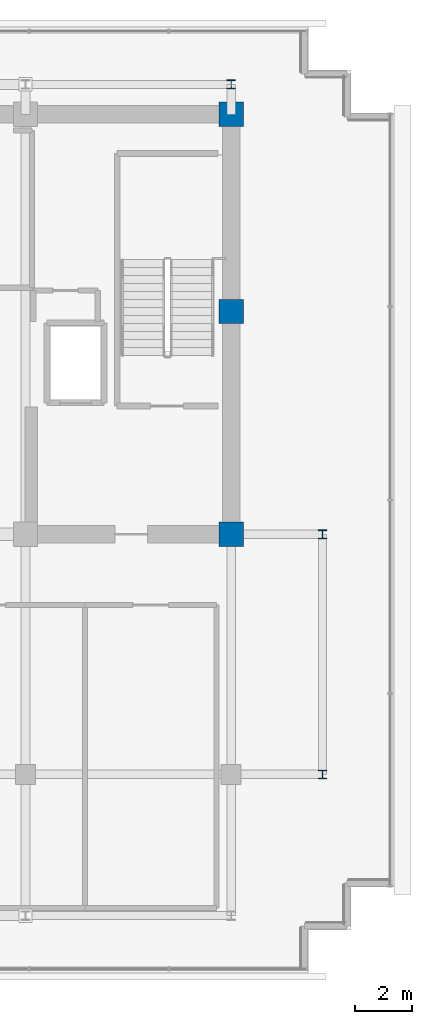
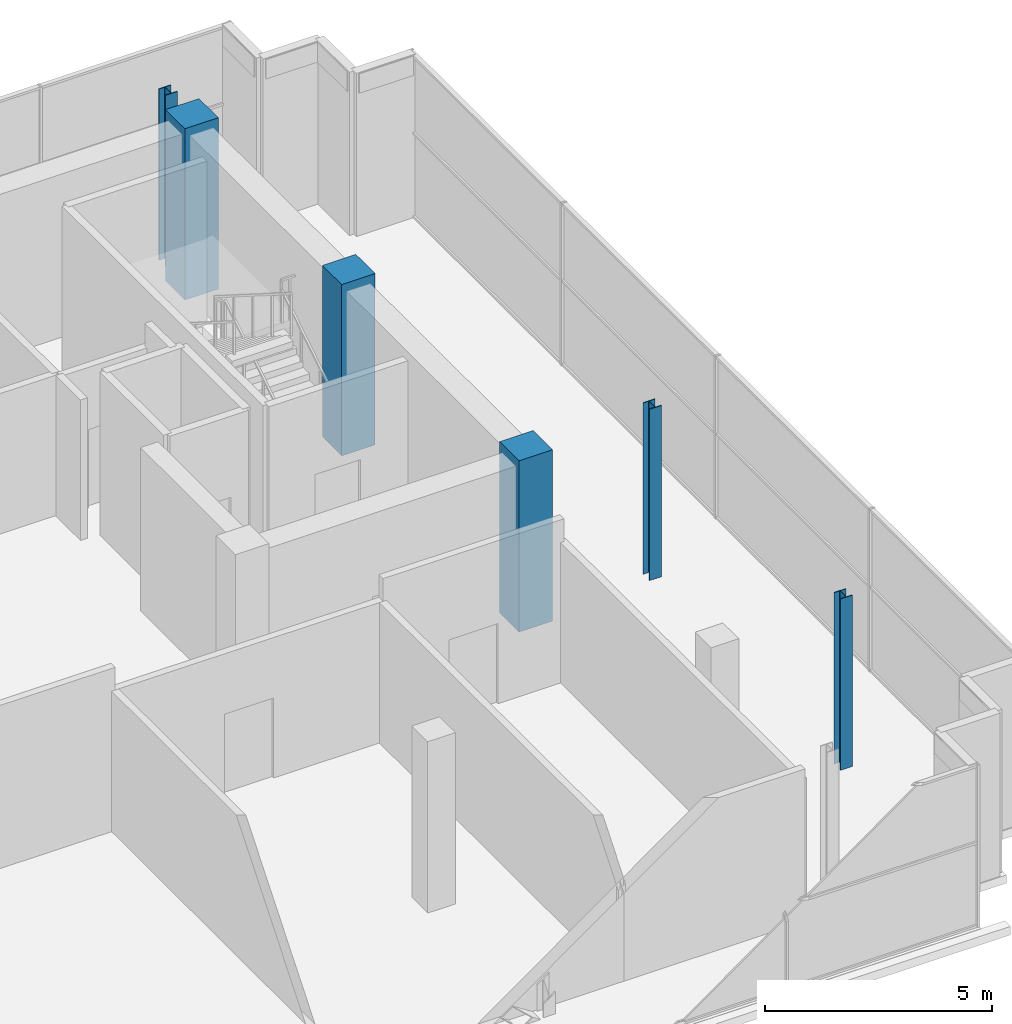
# One storey, part 2 of 28: 6 columns.
"""IFC4 building model written with IfcOpenShell, lengths in metres."""

from ifc_helpers import new_model, si_unit, direction, frame, origin, origin_2d, place, context, subcontext, project, spatial, rectangle, i_section, extrude, material, material_profile, profile_set, type_object, element, save


model = new_model("IFC4")

# Units and contexts
model_context = context("Model", 3, precision=1e-05, world=origin(), true_north=direction((0.0, 1.0)))
body_context = subcontext(model_context, "Body", "Model", "MODEL_VIEW")
ifc_project = project(units=[si_unit("LENGTHUNIT", "METRE"), si_unit("AREAUNIT", "SQUARE_METRE"), si_unit("VOLUMEUNIT", "CUBIC_METRE"), si_unit("PLANEANGLEUNIT", "RADIAN"), si_unit("MASSUNIT", "GRAM", prefix="KILO")], contexts=[model_context])

# Site, building, storey
site_placement = place(None, origin())
site = spatial("IfcSite", under=ifc_project, at=site_placement, CompositionType="ELEMENT")
building_placement = place(site_placement, origin())
building = spatial("IfcBuilding", under=site, at=building_placement, Name="Zarnakvel Exchange Tower", CompositionType="ELEMENT")
storey_placement = place(building_placement, frame((0.0, 0.0, 276.199951171875)))
storey = spatial("IfcBuildingStorey", under=building, at=storey_placement, Name="Crown L78", CompositionType="ELEMENT", Elevation=276.199951171875)

# Columns
ifc_material_1 = material(Name="Concrete C50/60", Category="concrete")
ifc_material_profile_1 = material_profile(ifc_material_1, rectangle(XDim=0.85009765625, YDim=0.85009765625, at=origin_2d()))
ifc_profile_set_1 = profile_set([ifc_material_profile_1], Name="Concrete C50/60")
column_type_1 = type_object("IfcColumnType", Name="CC-03", PredefinedType="COLUMN", material=ifc_profile_set_1)
for number, where, z_axis, x_axis, name in (
    (1, (14.39990234375, -1.199951171875, 0.0), (0.0, 0.0, 1.0), (1.0, 0.0, 0.0), "Crown L78 Column C-9D (CC-03)"),
    (2, (14.39990234375, 6.60009765625, 0.0), (0.0, 0.0, 1.0), (1.0, 0.0, 0.0), "Crown L78 Column C-9E (CC-03)"),
    (3, (14.39990234375, 13.5, 0.0), (0.0, 0.0, 1.0), (1.0, 0.0, 0.0), "Crown L78 Column C-9F (CC-03)"),
):
    element("IfcColumn", number, at=place(storey_placement, frame(where, z_axis=z_axis, x_axis=x_axis)), inside=storey, type_object=column_type_1, Name=name, PredefinedType="COLUMN", context=body_context, shape_type="SweptSolid", body=[
        extrude(rectangle(XDim=0.85009765625, YDim=0.85009765625, at=origin_2d()), origin(), (0.0, 0.0, 1.0), 4.60009765625),
    ])
ifc_material_2 = material(Name="Steel S355", Category="steel")
ifc_material_profile_2 = material_profile(ifc_material_2, i_section(OverallWidth=0.300048828125, OverallDepth=0.300048828125, WebThickness=0.010986328125, FlangeThickness=0.01904296875, FilletRadius=0.027099609375, at=origin_2d()))
ifc_profile_set_2 = profile_set([ifc_material_profile_2], Name="Steel S355")
column_type_2 = type_object("IfcColumnType", Name="CF-01", PredefinedType="COLUMN", material=ifc_profile_set_2)
for number, where, z_axis, x_axis, name in (
    (4, (14.39990234375, 14.550048828125, 0.0), (0.0, 0.0, 1.0), (1.0, 0.0, 0.0), "Crown L78 Column CN-9 (CF-01)"),
    (5, (17.60009765625, -9.60009765625, 0.0), (0.0, 0.0, 1.0), (1.0, 0.0, 0.0), "Crown L78 Column CE-C (CF-01)"),
    (6, (17.60009765625, -1.199951171875, 0.0), (0.0, 0.0, 1.0), (1.0, 0.0, 0.0), "Crown L78 Column CE-D (CF-01)"),
):
    element("IfcColumn", number, at=place(storey_placement, frame(where, z_axis=z_axis, x_axis=x_axis)), inside=storey, type_object=column_type_2, Name=name, PredefinedType="COLUMN", context=body_context, shape_type="SweptSolid", body=[
        extrude(i_section(OverallWidth=0.300048828125, OverallDepth=0.300048828125, WebThickness=0.010986328125, FlangeThickness=0.01904296875, FilletRadius=0.027099609375, at=origin_2d()), origin(), (0.0, 0.0, 1.0), 4.60009765625),
    ])

save(model, "model.ifc")
